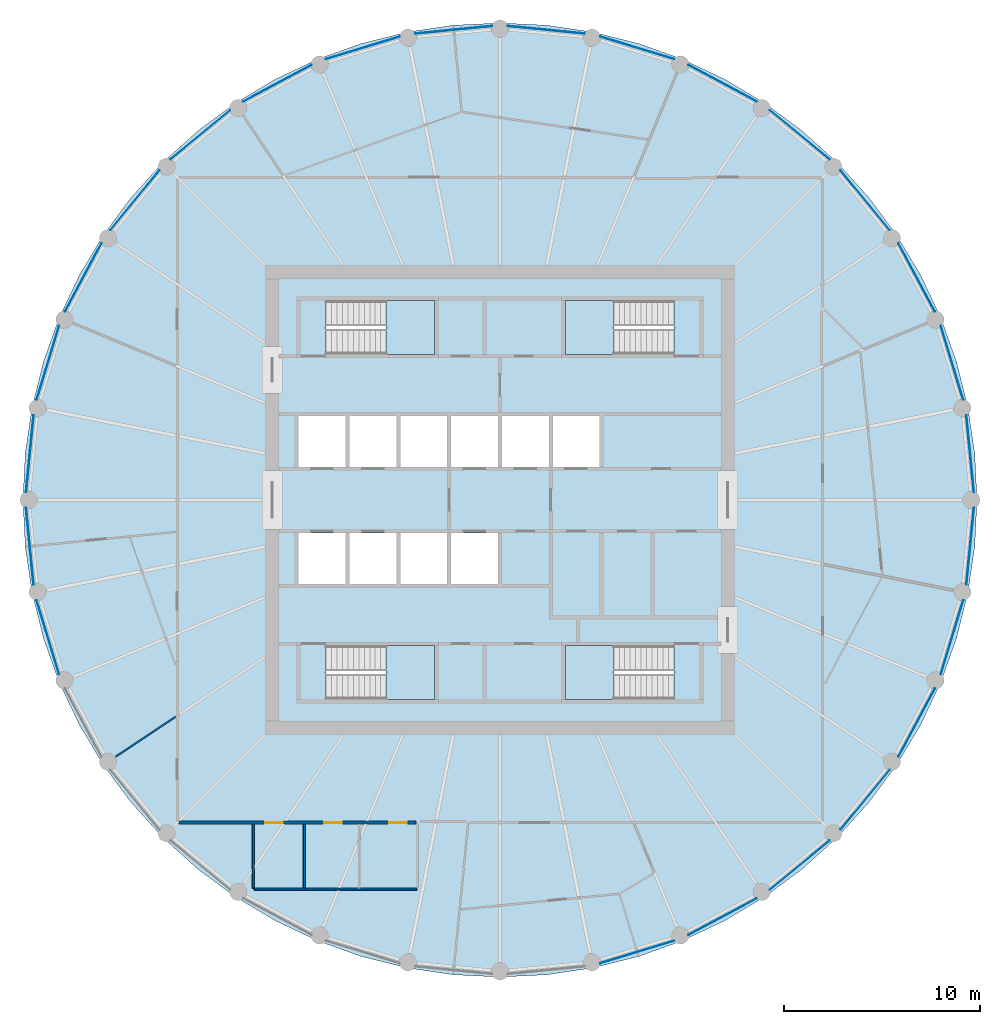
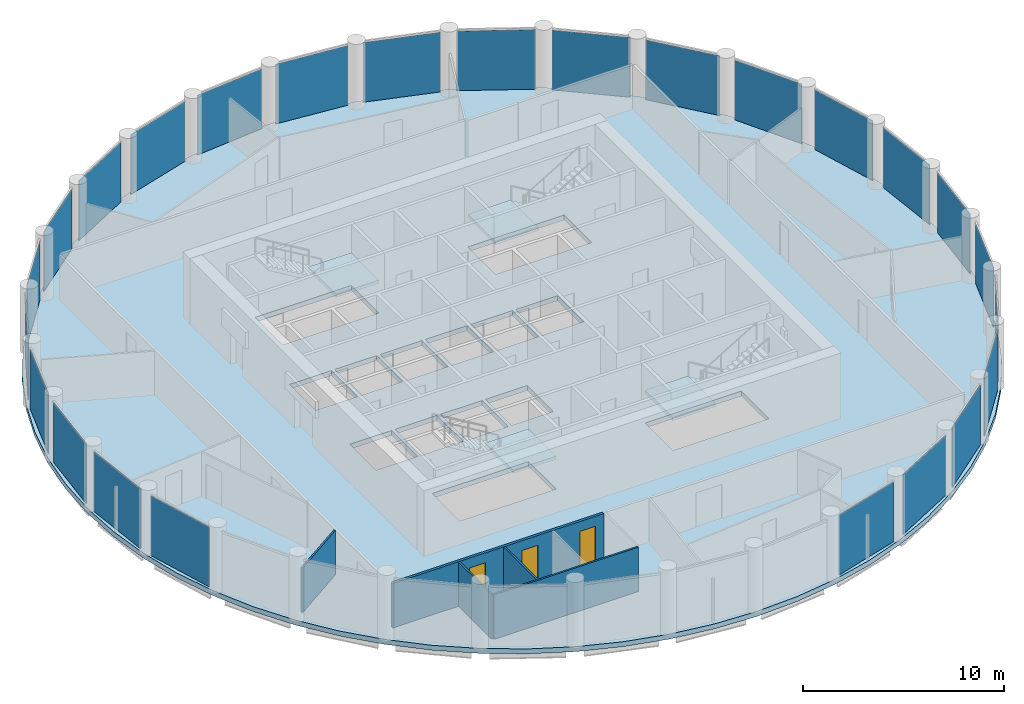
# One storey, part 3 of 8: 25 plates, 5 slabs, 5 walls, 3 doors, 3 openings, 29 elements without a shape of their own.
"""IFC4 building model written with IfcOpenShell, lengths in metres."""

from ifc_helpers import new_model, si_unit, direction, frame, frame_2d, origin, origin_2d, place, context, subcontext, project, spatial, polyline, rectangle, outline, extrude, material, layer, layer_set, type_object, element, fill, aggregate, save


model = new_model("IFC4")

# Units and contexts
model_context = context("Model", 3, precision=1e-05, world=origin(), true_north=direction((0.0, 1.0)))
body_context = subcontext(model_context, "Body", "Model", "MODEL_VIEW")
ifc_project = project(units=[si_unit("LENGTHUNIT", "METRE"), si_unit("AREAUNIT", "SQUARE_METRE"), si_unit("VOLUMEUNIT", "CUBIC_METRE"), si_unit("PLANEANGLEUNIT", "RADIAN"), si_unit("MASSUNIT", "GRAM", prefix="KILO")], contexts=[model_context])

# Site, building, storey
site_placement = place(None, origin())
site = spatial("IfcSite", under=ifc_project, at=site_placement, CompositionType="ELEMENT")
building_placement = place(site_placement, origin())
building = spatial("IfcBuilding", under=site, at=building_placement, Name="Corvane Civic Tower", CompositionType="ELEMENT")
storey_placement = place(building_placement, frame((0.0, 0.0, 303.0)))
storey = spatial("IfcBuildingStorey", under=building, at=storey_placement, Name="L72", CompositionType="ELEMENT", Elevation=303.0)

# Slab
ifc_material_1 = material(Name="Concrete C40/50", Category="concrete")
ifc_layer_1 = layer(ifc_material_1, 0.300048828125)
ifc_layer_set_1 = layer_set([ifc_layer_1], Name="Concrete C40/50")
slab_type_1 = type_object("IfcSlabType", Name="FLOOR SLAB 300", PredefinedType="FLOOR", material=ifc_layer_set_1)
slab_1_placement = place(storey_placement, frame((0.0, 0.0, -0.300048828125)))
element("IfcSlab", 1, at=slab_1_placement, inside=storey, type_object=slab_type_1, Name="SLB-L72", PredefinedType="FLOOR", context=body_context, shape_type="SweptSolid", body=[
    extrude(outline(polyline([(0.0, 24.39990234375), (-2.3916015625, 24.282470703125), (-4.76025390625, 23.93115234375), (-7.0830078125, 23.349365234375), (-9.33740234375, 22.542724609375), (-11.502197265625, 21.518798828125), (-13.555908203125, 20.287841796875), (-15.479248046875, 18.861572265625), (-17.25341796875, 17.25341796875), (-18.861572265625, 15.479248046875), (-20.287841796875, 13.555908203125), (-21.518798828125, 11.502197265625), (-22.542724609375, 9.33740234375), (-23.349365234375, 7.0830078125), (-23.93115234375, 4.76025390625), (-24.282470703125, 2.3916015625), (-24.39990234375, 0.0), (-24.282470703125, -2.3916015625), (-23.93115234375, -4.76025390625), (-23.349365234375, -7.0830078125), (-22.542724609375, -9.33740234375), (-21.518798828125, -11.502197265625), (-20.287841796875, -13.555908203125), (-18.861572265625, -15.479248046875), (-17.25341796875, -17.25341796875), (-15.479248046875, -18.861572265625), (-13.555908203125, -20.287841796875), (-11.502197265625, -21.518798828125), (-9.33740234375, -22.542724609375), (-7.0830078125, -23.349365234375), (-4.76025390625, -23.93115234375), (-2.3916015625, -24.282470703125), (0.0, -24.39990234375), (2.3916015625, -24.282470703125), (4.76025390625, -23.93115234375), (7.0830078125, -23.349365234375), (9.33740234375, -22.542724609375), (11.502197265625, -21.518798828125), (13.555908203125, -20.287841796875), (15.479248046875, -18.861572265625), (17.25341796875, -17.25341796875), (18.861572265625, -15.479248046875), (20.287841796875, -13.555908203125), (21.518798828125, -11.502197265625), (22.542724609375, -9.33740234375), (23.349365234375, -7.0830078125), (23.93115234375, -4.76025390625), (24.282470703125, -2.3916015625), (24.39990234375, 0.0), (24.282470703125, 2.3916015625), (23.93115234375, 4.76025390625), (23.349365234375, 7.0830078125), (22.542724609375, 9.33740234375), (21.518798828125, 11.502197265625), (20.287841796875, 13.555908203125), (18.861572265625, 15.479248046875), (17.25341796875, 17.25341796875), (15.479248046875, 18.861572265625), (13.555908203125, 20.287841796875), (11.502197265625, 21.518798828125), (9.33740234375, 22.542724609375), (7.0830078125, 23.349365234375), (4.76025390625, 23.93115234375), (2.3916015625, 24.282470703125), (0.0, 24.39990234375)]), holes=[polyline([(-10.300048828125, 4.300048828125), (-7.89990234375, 4.300048828125), (-7.89990234375, 1.699951171875), (-10.300048828125, 1.699951171875), (-10.300048828125, 4.300048828125)]), polyline([(-7.699951171875, 4.300048828125), (-5.300048828125, 4.300048828125), (-5.300048828125, 1.699951171875), (-7.699951171875, 1.699951171875), (-7.699951171875, 4.300048828125)]), polyline([(-5.10009765625, 4.300048828125), (-2.699951171875, 4.300048828125), (-2.699951171875, 1.699951171875), (-5.10009765625, 1.699951171875), (-5.10009765625, 4.300048828125)]), polyline([(-2.5, 1.699951171875), (-2.5, 4.300048828125), (-0.10009765625, 4.300048828125), (-0.10009765625, 1.699951171875), (-2.5, 1.699951171875)]), polyline([(0.10009765625, 1.699951171875), (0.10009765625, 4.300048828125), (2.5, 4.300048828125), (2.5, 1.699951171875), (0.10009765625, 1.699951171875)]), polyline([(2.699951171875, 1.699951171875), (2.699951171875, 4.300048828125), (5.10009765625, 4.300048828125), (5.10009765625, 1.699951171875), (2.699951171875, 1.699951171875)]), polyline([(-10.300048828125, -4.300048828125), (-10.300048828125, -1.699951171875), (-7.89990234375, -1.699951171875), (-7.89990234375, -4.300048828125), (-10.300048828125, -4.300048828125)]), polyline([(-7.699951171875, -4.300048828125), (-7.699951171875, -1.699951171875), (-5.300048828125, -1.699951171875), (-5.300048828125, -4.300048828125), (-7.699951171875, -4.300048828125)]), polyline([(-5.10009765625, -4.300048828125), (-5.10009765625, -1.699951171875), (-2.699951171875, -1.699951171875), (-2.699951171875, -4.300048828125), (-5.10009765625, -4.300048828125)]), polyline([(-2.5, -4.300048828125), (-2.5, -1.699951171875), (-0.10009765625, -1.699951171875), (-0.10009765625, -4.300048828125), (-2.5, -4.300048828125)]), polyline([(8.889892578125, 10.199951171875), (8.889892578125, 7.449951171875), (3.35009765625, 7.449951171875), (3.35009765625, 10.199951171875), (8.889892578125, 10.199951171875)]), polyline([(-8.889892578125, 7.449951171875), (-8.889892578125, 10.199951171875), (-3.35009765625, 10.199951171875), (-3.35009765625, 7.449951171875), (-8.889892578125, 7.449951171875)]), polyline([(8.889892578125, -7.449951171875), (8.889892578125, -10.199951171875), (3.35009765625, -10.199951171875), (3.35009765625, -7.449951171875), (8.889892578125, -7.449951171875)]), polyline([(-8.889892578125, -10.199951171875), (-8.889892578125, -7.449951171875), (-3.35009765625, -7.449951171875), (-3.35009765625, -10.199951171875), (-8.889892578125, -10.199951171875)])]), origin(), (0.0, 0.0, 1.0), 0.300048828125),
])

# Stair, slab
ifc_material_2 = material(Name="Concrete C40/50", Category="concrete")
stair_type = type_object("IfcStairType", Name="ST-STAIR-HALFTURN", PredefinedType="HALF_TURN_STAIR", material=ifc_material_2)
stair_1_placement = place(storey_placement, origin())
stair_1 = element("IfcStair", 2, at=stair_1_placement, inside=storey, type_object=stair_type, Name="L72 Exit stair ST1", PredefinedType="HALF_TURN_STAIR")
ifc_material_3 = material(Name="Concrete C40/50", Category="concrete")
ifc_layer_2 = layer(ifc_material_3, 0.199951171875)
ifc_layer_set_2 = layer_set([ifc_layer_2], Name="Concrete C40/50")
slab_type_2 = type_object("IfcSlabType", Name="ST-LANDING-RC", PredefinedType="LANDING", material=ifc_layer_set_2)
slab_2_placement = place(storey_placement, frame((0.0, 0.0, 1.800048828125)))
slab_2 = element("IfcSlab", 3, at=slab_2_placement, type_object=slab_type_2, Name="ST1 landing 1", PredefinedType="LANDING", context=body_context, shape_type="SweptSolid", body=[
    extrude(outline(polyline([(5.820068359375, 10.199951171875), (3.35009765625, 10.199951171875), (3.35009765625, 7.449951171875), (5.820068359375, 7.449951171875), (5.820068359375, 10.199951171875)])), origin(), (0.0, 0.0, 1.0), 0.199951171875),
])
aggregate(stair_1, [slab_2])

stair_2_placement = place(storey_placement, origin())
stair_2 = element("IfcStair", 4, at=stair_2_placement, inside=storey, type_object=stair_type, Name="L72 Exit stair ST2", PredefinedType="HALF_TURN_STAIR")
slab_3_placement = place(storey_placement, frame((0.0, 0.0, 1.800048828125)))
slab_3 = element("IfcSlab", 5, at=slab_3_placement, type_object=slab_type_2, Name="ST2 landing 1", PredefinedType="LANDING", context=body_context, shape_type="SweptSolid", body=[
    extrude(outline(polyline([(5.820068359375, -7.449951171875), (3.35009765625, -7.449951171875), (3.35009765625, -10.199951171875), (5.820068359375, -10.199951171875), (5.820068359375, -7.449951171875)])), origin(), (0.0, 0.0, 1.0), 0.199951171875),
])
aggregate(stair_2, [slab_3])

stair_3_placement = place(storey_placement, origin())
stair_3 = element("IfcStair", 6, at=stair_3_placement, inside=storey, type_object=stair_type, Name="L72 Exit stair ST3", PredefinedType="HALF_TURN_STAIR")
slab_4_placement = place(storey_placement, frame((0.0, 0.0, 1.800048828125)))
slab_4 = element("IfcSlab", 7, at=slab_4_placement, type_object=slab_type_2, Name="ST3 landing 1", PredefinedType="LANDING", context=body_context, shape_type="SweptSolid", body=[
    extrude(outline(polyline([(-5.820068359375, -10.199951171875), (-3.35009765625, -10.199951171875), (-3.35009765625, -7.449951171875), (-5.820068359375, -7.449951171875), (-5.820068359375, -10.199951171875)])), origin(), (0.0, 0.0, 1.0), 0.199951171875),
])
aggregate(stair_3, [slab_4])

stair_4_placement = place(storey_placement, origin())
stair_4 = element("IfcStair", 8, at=stair_4_placement, inside=storey, type_object=stair_type, Name="L72 Exit stair ST4", PredefinedType="HALF_TURN_STAIR")
slab_5_placement = place(storey_placement, frame((0.0, 0.0, 1.800048828125)))
slab_5 = element("IfcSlab", 9, at=slab_5_placement, type_object=slab_type_2, Name="ST4 landing 1", PredefinedType="LANDING", context=body_context, shape_type="SweptSolid", body=[
    extrude(outline(polyline([(-5.820068359375, 7.449951171875), (-3.35009765625, 7.449951171875), (-3.35009765625, 10.199951171875), (-5.820068359375, 10.199951171875), (-5.820068359375, 7.449951171875)])), origin(), (0.0, 0.0, 1.0), 0.199951171875),
])
aggregate(stair_4, [slab_5])

# Curtain wall, plate
ifc_material_4 = material(Name="Anodised aluminium bronze", Category="aluminium")
curtain_wall_type = type_object("IfcCurtainWallType", Name="TOWER CW-T3 STICK CURTAIN WALL", PredefinedType="NOTDEFINED", material=ifc_material_4)
curtain_wall_1_placement = place(storey_placement, origin())
curtain_wall_1 = element("IfcCurtainWall", 10, at=curtain_wall_1_placement, inside=storey, type_object=curtain_wall_type, Name="Curtain wall CW-T3 L72 bay 01", PredefinedType="NOTDEFINED")
ifc_material_5 = material(Name="Tinted glass", Category="glass")
ifc_layer_3 = layer(ifc_material_5, 0.028076171875)
ifc_layer_set_3 = layer_set([ifc_layer_3], Name="Tinted glass")
plate_type = type_object("IfcPlateType", Name="TOWER CW-T3 PANEL IGU28", PredefinedType="CURTAIN_PANEL", material=ifc_layer_set_3)
plate_1_placement = place(storey_placement, frame((2.368408203125, 24.046875, 0.0), z_axis=(0.0, 0.0, 1.0), x_axis=(0.99518437747, -0.098020685775, 0.0)))
plate_1 = element("IfcPlate", 11, at=plate_1_placement, type_object=plate_type, Name="Glass panel CW-T3 L72 01.1", PredefinedType="CURTAIN_PANEL", context=body_context, shape_type="SweptSolid", body=[
    extrude(rectangle(XDim=3.958740234375, YDim=0.028076171875, at=origin_2d()), origin(), (0.0, 0.0, 1.0), 3.6298828125),
])
aggregate(curtain_wall_1, [plate_1])

curtain_wall_2_placement = place(storey_placement, origin())
curtain_wall_2 = element("IfcCurtainWall", 12, at=curtain_wall_2_placement, inside=storey, type_object=curtain_wall_type, Name="Curtain wall CW-T3 L72 bay 02", PredefinedType="NOTDEFINED")
plate_2_placement = place(storey_placement, frame((7.01416015625, 23.12255859375, 0.0), z_axis=(0.0, 0.0, 1.0), x_axis=(0.956943694519, -0.290273604586, 0.0)))
plate_2 = element("IfcPlate", 13, at=plate_2_placement, type_object=plate_type, Name="Glass panel CW-T3 L72 02.1", PredefinedType="CURTAIN_PANEL", context=body_context, shape_type="SweptSolid", body=[
    extrude(rectangle(XDim=3.958984375, YDim=0.028076171875, at=origin_2d()), origin(), (0.0, 0.0, 1.0), 3.6298828125),
])
aggregate(curtain_wall_2, [plate_2])

curtain_wall_3_placement = place(storey_placement, origin())
curtain_wall_3 = element("IfcCurtainWall", 14, at=curtain_wall_3_placement, inside=storey, type_object=curtain_wall_type, Name="Curtain wall CW-T3 L72 bay 03", PredefinedType="NOTDEFINED")
plate_3_placement = place(storey_placement, frame((11.390380859375, 21.31005859375, 0.0), z_axis=(0.0, 0.0, 1.0), x_axis=(0.881908138655, -0.471421292448, 0.0)))
plate_3 = element("IfcPlate", 15, at=plate_3_placement, type_object=plate_type, Name="Glass panel CW-T3 L72 03.1", PredefinedType="CURTAIN_PANEL", context=body_context, shape_type="SweptSolid", body=[
    extrude(rectangle(XDim=3.958740234375, YDim=0.028076171875, at=origin_2d()), origin(), (0.0, 0.0, 1.0), 3.6298828125),
])
aggregate(curtain_wall_3, [plate_3])

curtain_wall_4_placement = place(storey_placement, origin())
curtain_wall_4 = element("IfcCurtainWall", 16, at=curtain_wall_4_placement, inside=storey, type_object=curtain_wall_type, Name="Curtain wall CW-T3 L72 bay 04", PredefinedType="NOTDEFINED")
plate_4_placement = place(storey_placement, frame((15.328857421875, 18.67822265625, 0.0), z_axis=(0.0, 0.0, 1.0), x_axis=(0.773001130565, -0.634404643855, 0.0)))
plate_4 = element("IfcPlate", 17, at=plate_4_placement, type_object=plate_type, Name="Glass panel CW-T3 L72 04.1", PredefinedType="CURTAIN_PANEL", context=body_context, shape_type="SweptSolid", body=[
    extrude(rectangle(XDim=3.958740234375, YDim=0.028076171875, at=origin_2d()), origin(), (0.0, 0.0, 1.0), 3.6298828125),
])
aggregate(curtain_wall_4, [plate_4])

curtain_wall_5_placement = place(storey_placement, origin())
curtain_wall_5 = element("IfcCurtainWall", 18, at=curtain_wall_5_placement, inside=storey, type_object=curtain_wall_type, Name="Curtain wall CW-T3 L72 bay 05", PredefinedType="NOTDEFINED")
plate_5_placement = place(storey_placement, frame((18.67822265625, 15.328857421875, 0.0), z_axis=(0.0, 0.0, 1.0), x_axis=(0.634404643855, -0.773001130565, 0.0)))
plate_5 = element("IfcPlate", 19, at=plate_5_placement, type_object=plate_type, Name="Glass panel CW-T3 L72 05.1", PredefinedType="CURTAIN_PANEL", context=body_context, shape_type="SweptSolid", body=[
    extrude(rectangle(XDim=3.958740234375, YDim=0.028076171875, at=origin_2d()), origin(), (0.0, 0.0, 1.0), 3.6298828125),
])
aggregate(curtain_wall_5, [plate_5])

curtain_wall_6_placement = place(storey_placement, origin())
curtain_wall_6 = element("IfcCurtainWall", 20, at=curtain_wall_6_placement, inside=storey, type_object=curtain_wall_type, Name="Curtain wall CW-T3 L72 bay 06", PredefinedType="NOTDEFINED")
plate_6_placement = place(storey_placement, frame((21.31005859375, 11.390380859375, 0.0), z_axis=(0.0, 0.0, 1.0), x_axis=(0.471421292448, -0.881908138655, 0.0)))
plate_6 = element("IfcPlate", 21, at=plate_6_placement, type_object=plate_type, Name="Glass panel CW-T3 L72 06.1", PredefinedType="CURTAIN_PANEL", context=body_context, shape_type="SweptSolid", body=[
    extrude(rectangle(XDim=3.958740234375, YDim=0.028076171875, at=origin_2d()), origin(), (0.0, 0.0, 1.0), 3.6298828125),
])
aggregate(curtain_wall_6, [plate_6])

curtain_wall_7_placement = place(storey_placement, origin())
curtain_wall_7 = element("IfcCurtainWall", 22, at=curtain_wall_7_placement, inside=storey, type_object=curtain_wall_type, Name="Curtain wall CW-T3 L72 bay 07", PredefinedType="NOTDEFINED")
plate_7_placement = place(storey_placement, frame((23.12255859375, 7.01416015625, 0.0), z_axis=(0.0, 0.0, 1.0), x_axis=(0.290273604586, -0.956943694519, 0.0)))
plate_7 = element("IfcPlate", 23, at=plate_7_placement, type_object=plate_type, Name="Glass panel CW-T3 L72 07.1", PredefinedType="CURTAIN_PANEL", context=body_context, shape_type="SweptSolid", body=[
    extrude(rectangle(XDim=3.958984375, YDim=0.028076171875, at=origin_2d()), origin(), (0.0, 0.0, 1.0), 3.6298828125),
])
aggregate(curtain_wall_7, [plate_7])

curtain_wall_8_placement = place(storey_placement, origin())
curtain_wall_8 = element("IfcCurtainWall", 24, at=curtain_wall_8_placement, inside=storey, type_object=curtain_wall_type, Name="Curtain wall CW-T3 L72 bay 08", PredefinedType="NOTDEFINED")
plate_8_placement = place(storey_placement, frame((24.046875, 2.368408203125, 0.0), z_axis=(0.0, 0.0, 1.0), x_axis=(0.098020685775, -0.99518437747, 0.0)))
plate_8 = element("IfcPlate", 25, at=plate_8_placement, type_object=plate_type, Name="Glass panel CW-T3 L72 08.1", PredefinedType="CURTAIN_PANEL", context=body_context, shape_type="SweptSolid", body=[
    extrude(rectangle(XDim=3.958740234375, YDim=0.028076171875, at=origin_2d()), origin(), (0.0, 0.0, 1.0), 3.6298828125),
])
aggregate(curtain_wall_8, [plate_8])

curtain_wall_9_placement = place(storey_placement, origin())
curtain_wall_9 = element("IfcCurtainWall", 26, at=curtain_wall_9_placement, inside=storey, type_object=curtain_wall_type, Name="Curtain wall CW-T3 L72 bay 09", PredefinedType="NOTDEFINED")
plate_9_placement = place(storey_placement, frame((24.046875, -2.368408203125, 0.0), z_axis=(0.0, 0.0, 1.0), x_axis=(-0.098020685775, -0.99518437747, 0.0)))
plate_9 = element("IfcPlate", 27, at=plate_9_placement, type_object=plate_type, Name="Glass panel CW-T3 L72 09.1", PredefinedType="CURTAIN_PANEL", context=body_context, shape_type="SweptSolid", body=[
    extrude(rectangle(XDim=3.958740234375, YDim=0.028076171875, at=origin_2d()), origin(), (0.0, 0.0, 1.0), 3.6298828125),
])
aggregate(curtain_wall_9, [plate_9])

curtain_wall_10_placement = place(storey_placement, origin())
curtain_wall_10 = element("IfcCurtainWall", 28, at=curtain_wall_10_placement, inside=storey, type_object=curtain_wall_type, Name="Curtain wall CW-T3 L72 bay 10", PredefinedType="NOTDEFINED")
plate_10_placement = place(storey_placement, frame((23.12255859375, -7.01416015625, 0.0), z_axis=(0.0, 0.0, 1.0), x_axis=(-0.290273604586, -0.956943694519, 0.0)))
plate_10 = element("IfcPlate", 29, at=plate_10_placement, type_object=plate_type, Name="Glass panel CW-T3 L72 10.1", PredefinedType="CURTAIN_PANEL", context=body_context, shape_type="SweptSolid", body=[
    extrude(rectangle(XDim=3.958984375, YDim=0.028076171875, at=origin_2d()), origin(), (0.0, 0.0, 1.0), 3.6298828125),
])
aggregate(curtain_wall_10, [plate_10])

curtain_wall_11_placement = place(storey_placement, origin())
curtain_wall_11 = element("IfcCurtainWall", 30, at=curtain_wall_11_placement, inside=storey, type_object=curtain_wall_type, Name="Curtain wall CW-T3 L72 bay 11", PredefinedType="NOTDEFINED")
plate_11_placement = place(storey_placement, frame((21.31005859375, -11.390380859375, 0.0), z_axis=(0.0, 0.0, 1.0), x_axis=(-0.471421292448, -0.881908138655, 0.0)))
plate_11 = element("IfcPlate", 31, at=plate_11_placement, type_object=plate_type, Name="Glass panel CW-T3 L72 11.1", PredefinedType="CURTAIN_PANEL", context=body_context, shape_type="SweptSolid", body=[
    extrude(rectangle(XDim=3.958740234375, YDim=0.028076171875, at=origin_2d()), origin(), (0.0, 0.0, 1.0), 3.6298828125),
])
aggregate(curtain_wall_11, [plate_11])

curtain_wall_12_placement = place(storey_placement, origin())
curtain_wall_12 = element("IfcCurtainWall", 32, at=curtain_wall_12_placement, inside=storey, type_object=curtain_wall_type, Name="Curtain wall CW-T3 L72 bay 12", PredefinedType="NOTDEFINED")
plate_12_placement = place(storey_placement, frame((18.67822265625, -15.328857421875, 0.0), z_axis=(0.0, 0.0, 1.0), x_axis=(-0.634404643855, -0.773001130565, 0.0)))
plate_12 = element("IfcPlate", 33, at=plate_12_placement, type_object=plate_type, Name="Glass panel CW-T3 L72 12.1", PredefinedType="CURTAIN_PANEL", context=body_context, shape_type="SweptSolid", body=[
    extrude(rectangle(XDim=3.958740234375, YDim=0.028076171875, at=origin_2d()), origin(), (0.0, 0.0, 1.0), 3.6298828125),
])
aggregate(curtain_wall_12, [plate_12])

curtain_wall_13_placement = place(storey_placement, origin())
curtain_wall_13 = element("IfcCurtainWall", 34, at=curtain_wall_13_placement, inside=storey, type_object=curtain_wall_type, Name="Curtain wall CW-T3 L72 bay 13", PredefinedType="NOTDEFINED")
plate_13_placement = place(storey_placement, frame((15.328857421875, -18.67822265625, 0.0), z_axis=(0.0, 0.0, 1.0), x_axis=(-0.773001130565, -0.634404643855, 0.0)))
plate_13 = element("IfcPlate", 35, at=plate_13_placement, type_object=plate_type, Name="Glass panel CW-T3 L72 13.1", PredefinedType="CURTAIN_PANEL", context=body_context, shape_type="SweptSolid", body=[
    extrude(rectangle(XDim=3.958740234375, YDim=0.028076171875, at=origin_2d()), origin(), (0.0, 0.0, 1.0), 3.6298828125),
])
aggregate(curtain_wall_13, [plate_13])

curtain_wall_14_placement = place(storey_placement, origin())
curtain_wall_14 = element("IfcCurtainWall", 36, at=curtain_wall_14_placement, inside=storey, type_object=curtain_wall_type, Name="Curtain wall CW-T3 L72 bay 14", PredefinedType="NOTDEFINED")
plate_14_placement = place(storey_placement, frame((11.390380859375, -21.31005859375, 0.0), z_axis=(0.0, 0.0, 1.0), x_axis=(-0.881908138655, -0.471421292448, 0.0)))
plate_14 = element("IfcPlate", 37, at=plate_14_placement, type_object=plate_type, Name="Glass panel CW-T3 L72 14.1", PredefinedType="CURTAIN_PANEL", context=body_context, shape_type="SweptSolid", body=[
    extrude(rectangle(XDim=3.958740234375, YDim=0.028076171875, at=origin_2d()), origin(), (0.0, 0.0, 1.0), 3.6298828125),
])
aggregate(curtain_wall_14, [plate_14])

curtain_wall_15_placement = place(storey_placement, origin())
curtain_wall_15 = element("IfcCurtainWall", 38, at=curtain_wall_15_placement, inside=storey, type_object=curtain_wall_type, Name="Curtain wall CW-T3 L72 bay 15", PredefinedType="NOTDEFINED")
plate_15_placement = place(storey_placement, frame((7.01416015625, -23.12255859375, 0.0), z_axis=(0.0, 0.0, 1.0), x_axis=(-0.956943694519, -0.290273604586, 0.0)))
plate_15 = element("IfcPlate", 39, at=plate_15_placement, type_object=plate_type, Name="Glass panel CW-T3 L72 15.1", PredefinedType="CURTAIN_PANEL", context=body_context, shape_type="SweptSolid", body=[
    extrude(rectangle(XDim=3.958984375, YDim=0.028076171875, at=origin_2d()), origin(), (0.0, 0.0, 1.0), 3.6298828125),
])
aggregate(curtain_wall_15, [plate_15])

curtain_wall_16_placement = place(storey_placement, origin())
curtain_wall_16 = element("IfcCurtainWall", 40, at=curtain_wall_16_placement, inside=storey, type_object=curtain_wall_type, Name="Curtain wall CW-T3 L72 bay 23", PredefinedType="NOTDEFINED")
plate_16_placement = place(storey_placement, frame((-23.12255859375, -7.01416015625, 0.0), z_axis=(0.0, 0.0, 1.0), x_axis=(-0.290273604586, 0.956943694519, 0.0)))
plate_16 = element("IfcPlate", 41, at=plate_16_placement, type_object=plate_type, Name="Glass panel CW-T3 L72 23.1", PredefinedType="CURTAIN_PANEL", context=body_context, shape_type="SweptSolid", body=[
    extrude(rectangle(XDim=3.958984375, YDim=0.028076171875, at=origin_2d()), origin(), (0.0, 0.0, 1.0), 3.6298828125),
])
aggregate(curtain_wall_16, [plate_16])

curtain_wall_17_placement = place(storey_placement, origin())
curtain_wall_17 = element("IfcCurtainWall", 42, at=curtain_wall_17_placement, inside=storey, type_object=curtain_wall_type, Name="Curtain wall CW-T3 L72 bay 24", PredefinedType="NOTDEFINED")
plate_17_placement = place(storey_placement, frame((-24.046875, -2.368408203125, 0.0), z_axis=(0.0, 0.0, 1.0), x_axis=(-0.098020685775, 0.99518437747, 0.0)))
plate_17 = element("IfcPlate", 43, at=plate_17_placement, type_object=plate_type, Name="Glass panel CW-T3 L72 24.1", PredefinedType="CURTAIN_PANEL", context=body_context, shape_type="SweptSolid", body=[
    extrude(rectangle(XDim=3.958740234375, YDim=0.028076171875, at=origin_2d()), origin(), (0.0, 0.0, 1.0), 3.6298828125),
])
aggregate(curtain_wall_17, [plate_17])

curtain_wall_18_placement = place(storey_placement, origin())
curtain_wall_18 = element("IfcCurtainWall", 44, at=curtain_wall_18_placement, inside=storey, type_object=curtain_wall_type, Name="Curtain wall CW-T3 L72 bay 25", PredefinedType="NOTDEFINED")
plate_18_placement = place(storey_placement, frame((-24.046875, 2.368408203125, 0.0), z_axis=(0.0, 0.0, 1.0), x_axis=(0.098020685775, 0.99518437747, 0.0)))
plate_18 = element("IfcPlate", 45, at=plate_18_placement, type_object=plate_type, Name="Glass panel CW-T3 L72 25.1", PredefinedType="CURTAIN_PANEL", context=body_context, shape_type="SweptSolid", body=[
    extrude(rectangle(XDim=3.958740234375, YDim=0.028076171875, at=origin_2d()), origin(), (0.0, 0.0, 1.0), 3.6298828125),
])
aggregate(curtain_wall_18, [plate_18])

curtain_wall_19_placement = place(storey_placement, origin())
curtain_wall_19 = element("IfcCurtainWall", 46, at=curtain_wall_19_placement, inside=storey, type_object=curtain_wall_type, Name="Curtain wall CW-T3 L72 bay 26", PredefinedType="NOTDEFINED")
plate_19_placement = place(storey_placement, frame((-23.12255859375, 7.01416015625, 0.0), z_axis=(0.0, 0.0, 1.0), x_axis=(0.290273604586, 0.956943694519, 0.0)))
plate_19 = element("IfcPlate", 47, at=plate_19_placement, type_object=plate_type, Name="Glass panel CW-T3 L72 26.1", PredefinedType="CURTAIN_PANEL", context=body_context, shape_type="SweptSolid", body=[
    extrude(rectangle(XDim=3.958984375, YDim=0.028076171875, at=origin_2d()), origin(), (0.0, 0.0, 1.0), 3.6298828125),
])
aggregate(curtain_wall_19, [plate_19])

curtain_wall_20_placement = place(storey_placement, origin())
curtain_wall_20 = element("IfcCurtainWall", 48, at=curtain_wall_20_placement, inside=storey, type_object=curtain_wall_type, Name="Curtain wall CW-T3 L72 bay 27", PredefinedType="NOTDEFINED")
plate_20_placement = place(storey_placement, frame((-21.31005859375, 11.390380859375, 0.0), z_axis=(0.0, 0.0, 1.0), x_axis=(0.471421292448, 0.881908138655, 0.0)))
plate_20 = element("IfcPlate", 49, at=plate_20_placement, type_object=plate_type, Name="Glass panel CW-T3 L72 27.1", PredefinedType="CURTAIN_PANEL", context=body_context, shape_type="SweptSolid", body=[
    extrude(rectangle(XDim=3.958740234375, YDim=0.028076171875, at=origin_2d()), origin(), (0.0, 0.0, 1.0), 3.6298828125),
])
aggregate(curtain_wall_20, [plate_20])

curtain_wall_21_placement = place(storey_placement, origin())
curtain_wall_21 = element("IfcCurtainWall", 50, at=curtain_wall_21_placement, inside=storey, type_object=curtain_wall_type, Name="Curtain wall CW-T3 L72 bay 28", PredefinedType="NOTDEFINED")
plate_21_placement = place(storey_placement, frame((-18.67822265625, 15.328857421875, 0.0), z_axis=(0.0, 0.0, 1.0), x_axis=(0.634404643855, 0.773001130565, 0.0)))
plate_21 = element("IfcPlate", 51, at=plate_21_placement, type_object=plate_type, Name="Glass panel CW-T3 L72 28.1", PredefinedType="CURTAIN_PANEL", context=body_context, shape_type="SweptSolid", body=[
    extrude(rectangle(XDim=3.958740234375, YDim=0.028076171875, at=origin_2d()), origin(), (0.0, 0.0, 1.0), 3.6298828125),
])
aggregate(curtain_wall_21, [plate_21])

curtain_wall_22_placement = place(storey_placement, origin())
curtain_wall_22 = element("IfcCurtainWall", 52, at=curtain_wall_22_placement, inside=storey, type_object=curtain_wall_type, Name="Curtain wall CW-T3 L72 bay 29", PredefinedType="NOTDEFINED")
plate_22_placement = place(storey_placement, frame((-15.328857421875, 18.67822265625, 0.0), z_axis=(0.0, 0.0, 1.0), x_axis=(0.773001130565, 0.634404643855, 0.0)))
plate_22 = element("IfcPlate", 53, at=plate_22_placement, type_object=plate_type, Name="Glass panel CW-T3 L72 29.1", PredefinedType="CURTAIN_PANEL", context=body_context, shape_type="SweptSolid", body=[
    extrude(rectangle(XDim=3.958740234375, YDim=0.028076171875, at=origin_2d()), origin(), (0.0, 0.0, 1.0), 3.6298828125),
])
aggregate(curtain_wall_22, [plate_22])

curtain_wall_23_placement = place(storey_placement, origin())
curtain_wall_23 = element("IfcCurtainWall", 54, at=curtain_wall_23_placement, inside=storey, type_object=curtain_wall_type, Name="Curtain wall CW-T3 L72 bay 30", PredefinedType="NOTDEFINED")
plate_23_placement = place(storey_placement, frame((-11.390380859375, 21.31005859375, 0.0), z_axis=(0.0, 0.0, 1.0), x_axis=(0.881908138655, 0.471421292448, 0.0)))
plate_23 = element("IfcPlate", 55, at=plate_23_placement, type_object=plate_type, Name="Glass panel CW-T3 L72 30.1", PredefinedType="CURTAIN_PANEL", context=body_context, shape_type="SweptSolid", body=[
    extrude(rectangle(XDim=3.958740234375, YDim=0.028076171875, at=origin_2d()), origin(), (0.0, 0.0, 1.0), 3.6298828125),
])
aggregate(curtain_wall_23, [plate_23])

curtain_wall_24_placement = place(storey_placement, origin())
curtain_wall_24 = element("IfcCurtainWall", 56, at=curtain_wall_24_placement, inside=storey, type_object=curtain_wall_type, Name="Curtain wall CW-T3 L72 bay 31", PredefinedType="NOTDEFINED")
plate_24_placement = place(storey_placement, frame((-7.01416015625, 23.12255859375, 0.0), z_axis=(0.0, 0.0, 1.0), x_axis=(0.956943694519, 0.290273604586, 0.0)))
plate_24 = element("IfcPlate", 57, at=plate_24_placement, type_object=plate_type, Name="Glass panel CW-T3 L72 31.1", PredefinedType="CURTAIN_PANEL", context=body_context, shape_type="SweptSolid", body=[
    extrude(rectangle(XDim=3.958984375, YDim=0.028076171875, at=origin_2d()), origin(), (0.0, 0.0, 1.0), 3.6298828125),
])
aggregate(curtain_wall_24, [plate_24])

curtain_wall_25_placement = place(storey_placement, origin())
curtain_wall_25 = element("IfcCurtainWall", 58, at=curtain_wall_25_placement, inside=storey, type_object=curtain_wall_type, Name="Curtain wall CW-T3 L72 bay 32", PredefinedType="NOTDEFINED")
plate_25_placement = place(storey_placement, frame((-2.368408203125, 24.046875, 0.0), z_axis=(0.0, 0.0, 1.0), x_axis=(0.99518437747, 0.098020685775, 0.0)))
plate_25 = element("IfcPlate", 59, at=plate_25_placement, type_object=plate_type, Name="Glass panel CW-T3 L72 32.1", PredefinedType="CURTAIN_PANEL", context=body_context, shape_type="SweptSolid", body=[
    extrude(rectangle(XDim=3.958740234375, YDim=0.028076171875, at=origin_2d()), origin(), (0.0, 0.0, 1.0), 3.6298828125),
])
aggregate(curtain_wall_25, [plate_25])

# Walls
ifc_material_6 = material(Name="Plasterboard")
ifc_layer_4 = layer(ifc_material_6, 0.10009765625)
ifc_layer_set_4 = layer_set([ifc_layer_4], Name="Plasterboard")
wall_type_1 = type_object("IfcWallType", Name="Partition 100 plasterboard on studs", PredefinedType="PARTITIONING", material=ifc_layer_set_4)
wall_1_placement = place(storey_placement, frame((-12.558349609375, -19.89990234375, 0.0), z_axis=(0.0, 0.0, 1.0), x_axis=(1.0, 0.0, 0.0)))
element("IfcWall", 60, at=wall_1_placement, inside=storey, type_object=wall_type_1, Name="Partition L72.005", PredefinedType="PARTITIONING", context=body_context, shape_type="SweptSolid", body=[
    extrude(rectangle(XDim=8.300048828125, YDim=0.10009765625, at=frame_2d((4.14990234375, 0.0))), origin(), (0.0, 0.0, 1.0), 2.699951171875),
])
for number, where, z_axis, x_axis, name in (
    (61, (-12.6083984375, -19.85009765625, 0.0), (0.0, 0.0, 1.0), (0.0, 1.0, 0.0), "Partition L72.006"),
    (62, (-10.00830078125, -19.85009765625, 0.0), (0.0, 0.0, 1.0), (0.0, 1.0, 0.0), "Partition L72.007"),
):
    element("IfcWall", number, at=place(storey_placement, frame(where, z_axis=z_axis, x_axis=x_axis)), inside=storey, type_object=wall_type_1, Name=name, PredefinedType="PARTITIONING", context=body_context, shape_type="SweptSolid", body=[
        extrude(rectangle(XDim=3.275146484375, YDim=0.10009765625, at=frame_2d((1.6376953125, 0.0))), origin(), (0.0, 0.0, 1.0), 2.699951171875),
    ])
wall_2_placement = place(storey_placement, frame((-19.656005859375, -13.133544921875, 0.0), z_axis=(0.0, 0.0, 1.0), x_axis=(0.831477046095, 0.555559107402, 0.0)))
element("IfcWall", 63, at=wall_2_placement, inside=storey, type_object=wall_type_1, Name="Partition L72.016", PredefinedType="PARTITIONING", context=body_context, shape_type="SweptSolid", body=[
    extrude(rectangle(XDim=3.672119140625, YDim=0.10009765625, at=frame_2d((1.8359375, 0.0))), origin(), (0.0, 0.0, 1.0), 2.699951171875),
])

# Wall, openings, doors
ifc_material_7 = material(Name="Plasterboard")
ifc_layer_5 = layer(ifc_material_7, 0.14990234375)
ifc_layer_set_5 = layer_set([ifc_layer_5], Name="Plasterboard")
wall_type_2 = type_object("IfcWallType", Name="Tenancy wall 150 EI 60", PredefinedType="PARTITIONING", material=ifc_layer_set_5)
wall_3_placement = place(storey_placement, frame((-16.425048828125, -16.5, 0.0), z_axis=(0.0, 0.0, 1.0), x_axis=(1.0, 0.0, 0.0)))
wall_3 = element("IfcWall", 64, at=wall_3_placement, inside=storey, type_object=wall_type_2, Name="Partition L72.011", PredefinedType="PARTITIONING", context=body_context, shape_type="SweptSolid", body=[
    extrude(rectangle(XDim=12.141845703125, YDim=0.14990234375, at=frame_2d((6.07080078125, 0.0))), origin(), (0.0, 0.0, 1.0), 2.699951171875),
])
opening_1_placement = place(wall_3_placement, frame((10.7607421875, 0.0, 0.0)))
opening_1 = element("IfcOpeningElement", 65, at=opening_1_placement, cuts=wall_3, Name="Opening L72.010", PredefinedType="OPENING", context=body_context, shape_type="SweptSolid", body=[
    extrude(rectangle(XDim=0.89990234375, YDim=2.10009765625, at=frame_2d((0.449951171875, 1.050048828125))), frame((0.0, 0.0849609375, 0.0), z_axis=(0.0, -1.0, 0.0), x_axis=(1.0, 0.0, 0.0)), (0.0, 0.0, 1.0), 0.169921875),
])
opening_2_placement = place(wall_3_placement, frame((7.43798828125, 0.0, 0.0)))
opening_2 = element("IfcOpeningElement", 66, at=opening_2_placement, cuts=wall_3, Name="Opening L72.011", PredefinedType="OPENING", context=body_context, shape_type="SweptSolid", body=[
    extrude(rectangle(XDim=0.89990234375, YDim=2.10009765625, at=frame_2d((0.449951171875, 1.050048828125))), frame((0.0, 0.0849609375, 0.0), z_axis=(0.0, -1.0, 0.0), x_axis=(1.0, 0.0, 0.0)), (0.0, 0.0, 1.0), 0.169921875),
])
opening_3_placement = place(wall_3_placement, frame((4.423583984375, 0.0, 0.0)))
opening_3 = element("IfcOpeningElement", 67, at=opening_3_placement, cuts=wall_3, Name="Opening L72.012", PredefinedType="OPENING", context=body_context, shape_type="SweptSolid", body=[
    extrude(rectangle(XDim=0.89990234375, YDim=2.10009765625, at=frame_2d((0.449951171875, 1.050048828125))), frame((0.0, 0.0849609375, 0.0), z_axis=(0.0, -1.0, 0.0), x_axis=(1.0, 0.0, 0.0)), (0.0, 0.0, 1.0), 0.169921875),
])
ifc_material_8 = material(Name="Steel and timber", Category="steel")
door_type = type_object("IfcDoorType", Name="Fire door FD30S 900", OperationType="NOTDEFINED", PredefinedType="DOOR", material=ifc_material_8)
door_1_placement = place(opening_1_placement, frame((0.89990234375, 0.0, 0.0), z_axis=(0.0, 0.0, 1.0), x_axis=(-1.0, 0.0, 0.0)))
door_1 = element("IfcDoor", 68, at=door_1_placement, inside=storey, type_object=door_type, Name="Door L72.010", OperationType="SINGLE_SWING_LEFT", OverallHeight=2.10009765625, OverallWidth=0.89990234375, PredefinedType="DOOR", context=body_context, shape_type="SweptSolid", body=[
    extrude(rectangle(XDim=0.89990234375, YDim=2.10009765625, at=frame_2d((0.449951171875, 1.050048828125))), frame((0.0, 0.02490234375, 0.0), z_axis=(0.0, -1.0, 0.0), x_axis=(1.0, 0.0, 0.0)), (0.0, 0.0, 1.0), 0.050048828125),
])
fill(opening_1, door_1)
door_2_placement = place(opening_2_placement, frame((0.89990234375, 0.0, 0.0), z_axis=(0.0, 0.0, 1.0), x_axis=(-1.0, 0.0, 0.0)))
door_2 = element("IfcDoor", 69, at=door_2_placement, inside=storey, type_object=door_type, Name="Door L72.011", OperationType="SINGLE_SWING_LEFT", OverallHeight=2.10009765625, OverallWidth=0.89990234375, PredefinedType="DOOR", context=body_context, shape_type="SweptSolid", body=[
    extrude(rectangle(XDim=0.89990234375, YDim=2.10009765625, at=frame_2d((0.449951171875, 1.050048828125))), frame((0.0, 0.02490234375, 0.0), z_axis=(0.0, -1.0, 0.0), x_axis=(1.0, 0.0, 0.0)), (0.0, 0.0, 1.0), 0.050048828125),
])
fill(opening_2, door_2)
door_3_placement = place(opening_3_placement, frame((0.89990234375, 0.0, 0.0), z_axis=(0.0, 0.0, 1.0), x_axis=(-1.0, 0.0, 0.0)))
door_3 = element("IfcDoor", 70, at=door_3_placement, inside=storey, type_object=door_type, Name="Door L72.012", OperationType="SINGLE_SWING_RIGHT", OverallHeight=2.10009765625, OverallWidth=0.89990234375, PredefinedType="DOOR", context=body_context, shape_type="SweptSolid", body=[
    extrude(rectangle(XDim=0.89990234375, YDim=2.10009765625, at=frame_2d((0.449951171875, 1.050048828125))), frame((0.0, 0.02490234375, 0.0), z_axis=(0.0, -1.0, 0.0), x_axis=(1.0, 0.0, 0.0)), (0.0, 0.0, 1.0), 0.050048828125),
])
fill(opening_3, door_3)

save(model, "model.ifc")
